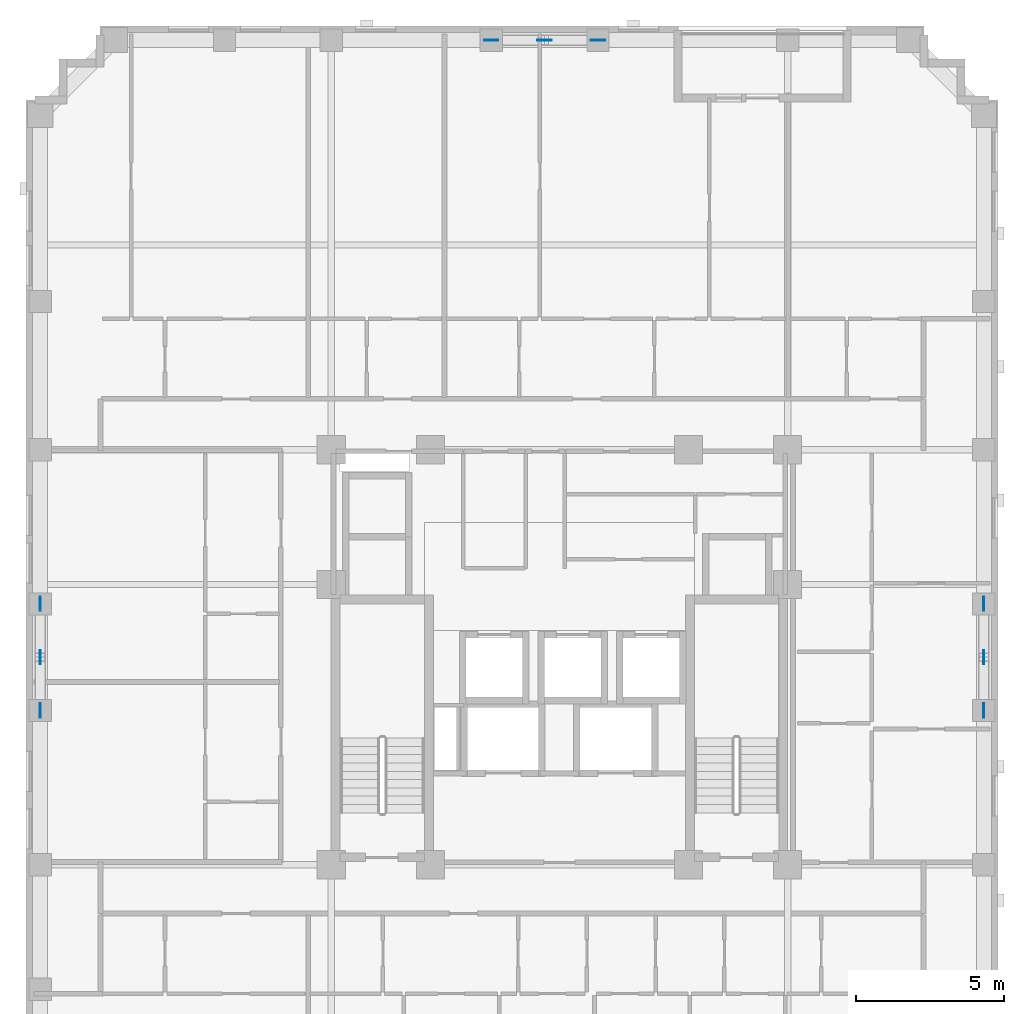
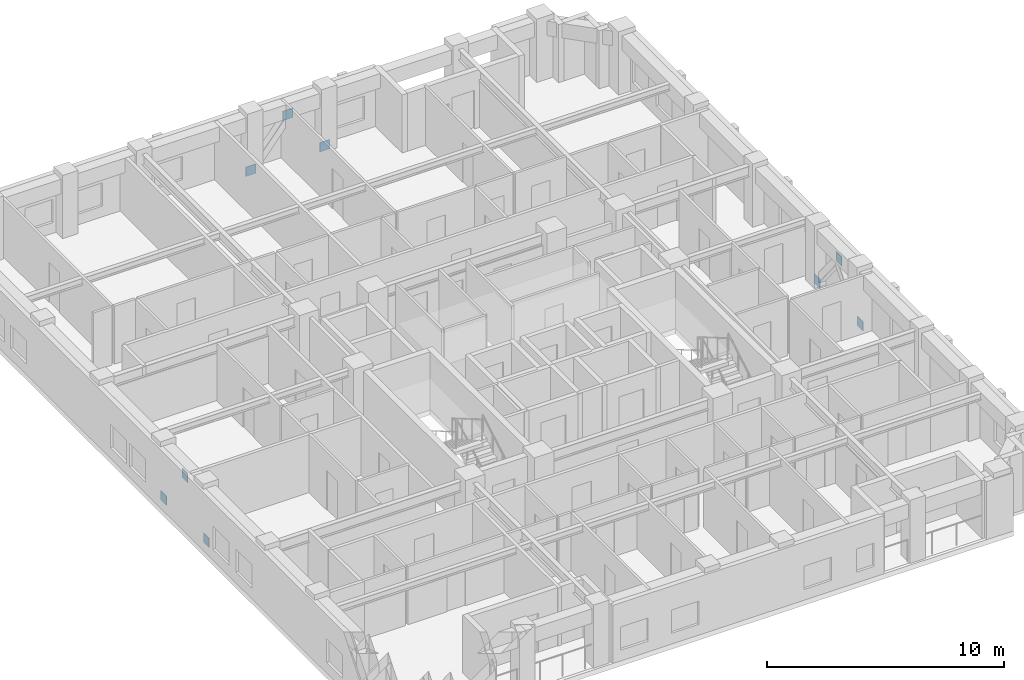
# One storey, part 9 of 11: 9 discrete accessories.
"""IFC4 building model written with IfcOpenShell, lengths in metres."""

from ifc_helpers import new_model, si_unit, derived_unit, direction, frame, origin, origin_2d, place, context, subcontext, project, spatial, rectangle, extrude, material, layer, layer_set, type_object, element, save


model = new_model("IFC4")

# Units and contexts
model_context = context("Model", 3, precision=1e-05, world=origin(), true_north=direction((0.0, 1.0)))
body_context = subcontext(model_context, "Body", "Model", "MODEL_VIEW")
ifc_project = project(units=[si_unit("LENGTHUNIT", "METRE"), si_unit("AREAUNIT", "SQUARE_METRE"), si_unit("VOLUMEUNIT", "CUBIC_METRE"), si_unit("PLANEANGLEUNIT", "RADIAN"), si_unit("MASSUNIT", "GRAM", prefix="KILO"), derived_unit("THERMALTRANSMITTANCEUNIT", [(si_unit("MASSUNIT", "GRAM", prefix="KILO"), 1), (si_unit("TIMEUNIT", "SECOND"), -3), (si_unit("THERMODYNAMICTEMPERATUREUNIT", "KELVIN"), -1)])], contexts=[model_context])

# Site, building, storey
site_placement = place(None, origin())
site = spatial("IfcSite", under=ifc_project, at=site_placement, CompositionType="ELEMENT")
building_placement = place(site_placement, origin())
building = spatial("IfcBuilding", under=site, at=building_placement, Name="Korrvale Station Residences", CompositionType="ELEMENT")
storey_placement = place(building_placement, frame((0.0, 0.0, 140.64990234375)))
storey = spatial("IfcBuildingStorey", under=building, at=storey_placement, Name="L40", CompositionType="ELEMENT", Elevation=140.64990234375)

# Discrete accessories
ifc_material = material(Name="Steel S355", Category="steel")
ifc_layer = layer(ifc_material, 0.02490234375, Name="Steel S355")
ifc_layer_set = layer_set([ifc_layer], Name="Steel S355")
discrete_accessory_type = type_object("IfcDiscreteAccessoryType", Name="ACC-GUSSET-25", PredefinedType="BRACKET", material=ifc_layer_set)
for number, where, z_axis, x_axis, name in (
    (1, (23.199951171875, 42.820068359375, -0.219970703125), (0.0, 0.0, 1.0), (1.0, 0.0, 0.0), "L40 N Brace End Gusset Connection A"),
    (2, (26.800048828125, 42.820068359375, -0.219970703125), (0.0, 0.0, 1.0), (1.0, 0.0, 0.0), "L40 N Brace End Gusset Connection B"),
    (3, (25.0, 42.820068359375, 2.02001953125), (0.0, 0.0, 1.0), (1.0, 0.0, 0.0), "L40 N Brace End Gusset Connection M"),
    (4, (7.97998046875, 20.199951171875, -0.219970703125), (0.0, 0.0, 1.0), (0.0, 1.0, 0.0), "L40 W Brace End Gusset Connection A"),
    (5, (7.97998046875, 23.800048828125, -0.219970703125), (0.0, 0.0, 1.0), (0.0, 1.0, 0.0), "L40 W Brace End Gusset Connection B"),
    (6, (7.97998046875, 22.0, 2.02001953125), (0.0, 0.0, 1.0), (0.0, 1.0, 0.0), "L40 W Brace End Gusset Connection M"),
    (7, (39.820068359375, 20.199951171875, -0.219970703125), (0.0, 0.0, 1.0), (0.0, 1.0, 0.0), "L40 E Brace End Gusset Connection A"),
    (8, (39.820068359375, 23.800048828125, -0.219970703125), (0.0, 0.0, 1.0), (0.0, 1.0, 0.0), "L40 E Brace End Gusset Connection B"),
    (9, (39.820068359375, 22.0, 2.02001953125), (0.0, 0.0, 1.0), (0.0, 1.0, 0.0), "L40 E Brace End Gusset Connection M"),
):
    element("IfcDiscreteAccessory", number, at=place(storey_placement, frame(where, z_axis=z_axis, x_axis=x_axis)), inside=storey, type_object=discrete_accessory_type, Name=name, PredefinedType="BRACKET", context=body_context, shape_type="SweptSolid", body=[
        extrude(rectangle(XDim=0.47998046875, YDim=0.02490234375, at=origin_2d()), origin(), (0.0, 0.0, 1.0), 0.47998046875),
    ])

save(model, "model.ifc")
